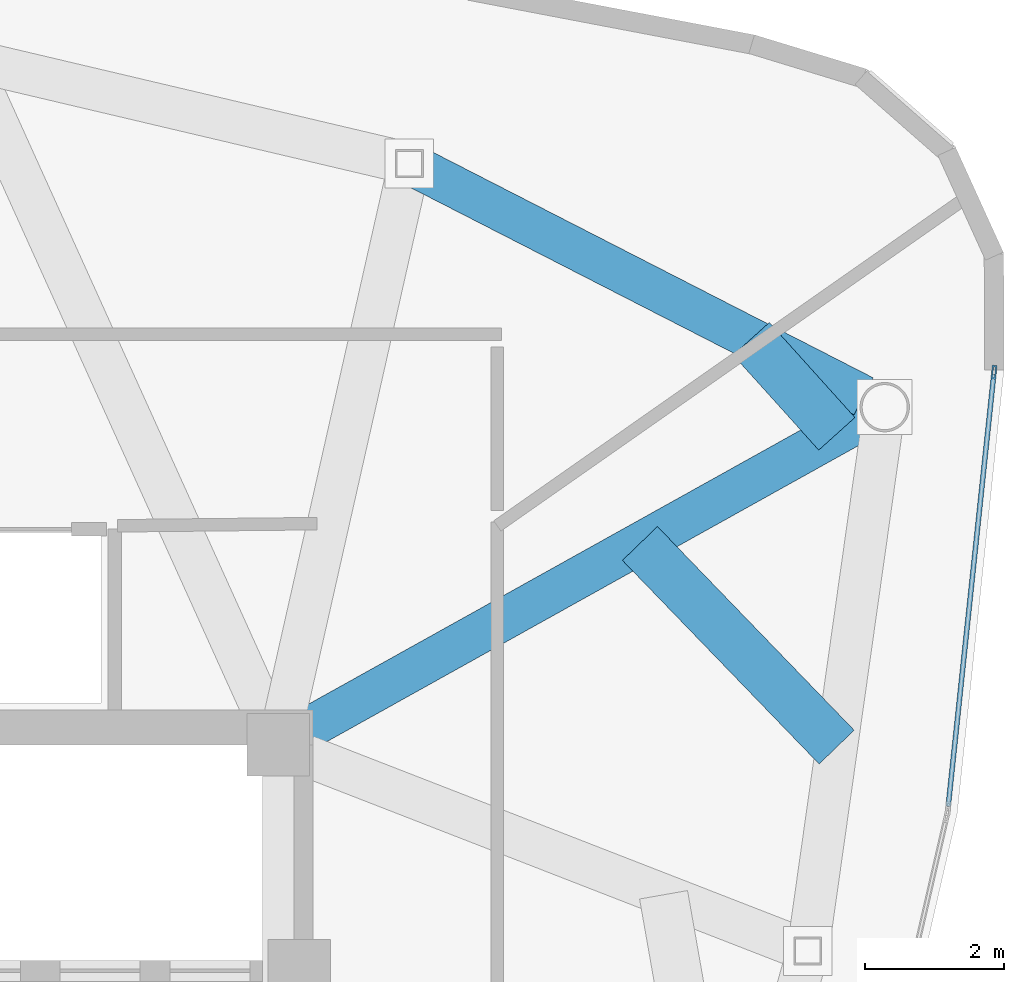
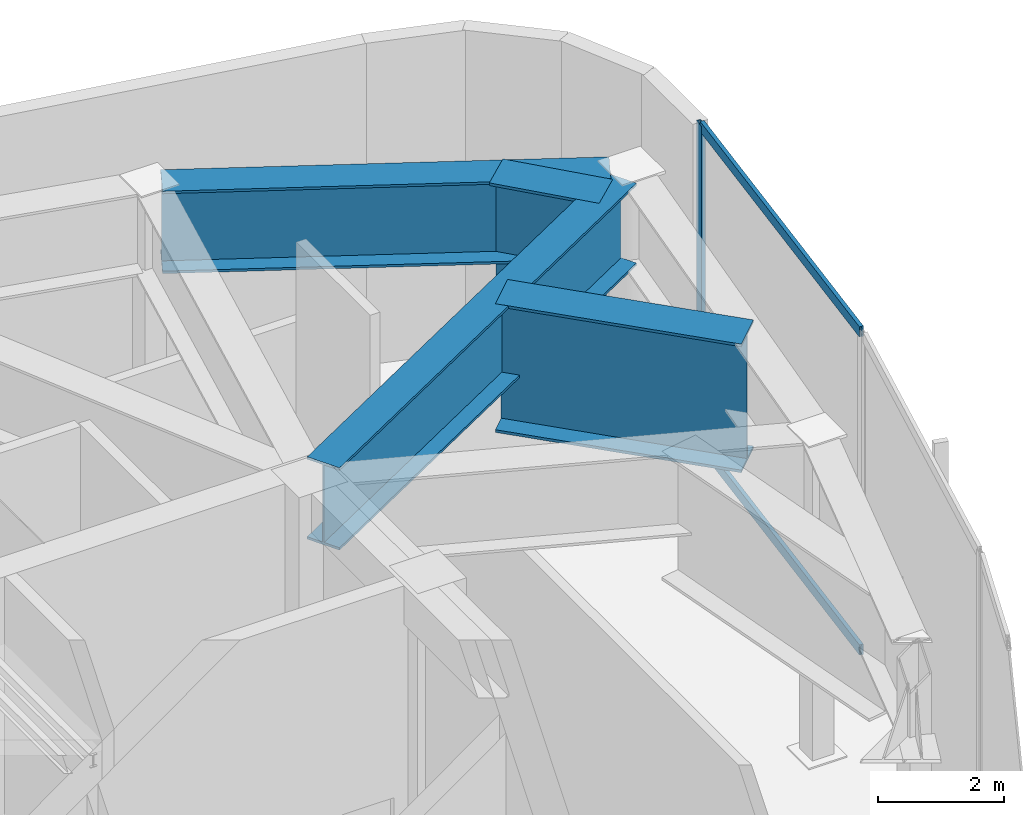
# One storey, part 6 of 13: 4 beams, 3 members, 1 element without a shape of its own.
"""IFC4 building model written with IfcOpenShell, lengths in metres."""

from ifc_helpers import new_model, si_unit, direction, frame, origin, origin_2d, place, context, subcontext, project, spatial, hollow_rectangle, i_section, extrude, source, transform, mapped, material, layer, layer_set, material_profile, profile_set, type_object, type_shapes, element, aggregate, save


model = new_model("IFC4")

# Units and contexts
model_context = context("Model", 3, precision=1e-05, world=origin(), true_north=direction((0.0, 1.0)))
body_context = subcontext(model_context, "Body", "Model", "MODEL_VIEW")
ifc_project = project(units=[si_unit("LENGTHUNIT", "METRE"), si_unit("AREAUNIT", "SQUARE_METRE"), si_unit("VOLUMEUNIT", "CUBIC_METRE"), si_unit("PLANEANGLEUNIT", "RADIAN"), si_unit("MASSUNIT", "GRAM", prefix="KILO")], contexts=[model_context])

# Site, building, storey
site_placement = place(None, origin())
site = spatial("IfcSite", under=ifc_project, at=site_placement, CompositionType="ELEMENT")
building_placement = place(site_placement, origin())
building = spatial("IfcBuilding", under=site, at=building_placement, Name="Tavelor Broadcast Tower", CompositionType="ELEMENT")
storey_placement = place(building_placement, frame((0.0, 0.0, 325.5)))
storey = spatial("IfcBuildingStorey", under=building, at=storey_placement, Name="L78", CompositionType="ELEMENT", Elevation=325.5)

# Beams
ifc_material_1 = material(Name="Steel S460", Category="steel")
ifc_material_profile_1 = material_profile(ifc_material_1, i_section(OverallWidth=0.60009765625, OverallDepth=1.60009765625, WebThickness=0.028076171875, FlangeThickness=0.048095703125, at=origin_2d()), Name="PG 1600x600")
ifc_profile_set_1 = profile_set([ifc_material_profile_1], Name="Steel S460")
beam_type_1 = type_object("IfcBeamType", Name="Crown and Spire Transfer Girder PG1600", PredefinedType="BEAM", material=ifc_profile_set_1)
beam_1_placement = place(storey_placement, frame((65.015869140625, 56.211181640625, 5.449951171875), z_axis=(-0.889983170291, 0.455993373415, 0.0), x_axis=(-0.455993373415, -0.889983170291, 0.0)))
element("IfcBeam", 1, at=beam_1_placement, inside=storey, type_object=beam_type_1, Name="L78 Framed-Tube Ring Spandrel 13", PredefinedType="BEAM", context=body_context, shape_type="SweptSolid", body=[
    extrude(i_section(OverallWidth=0.60009765625, OverallDepth=1.60009765625, WebThickness=0.028076171875, FlangeThickness=0.048095703125, at=origin_2d()), origin(), (0.0, 0.0, 1.0), 7.1455078125),
])
beam_2_placement = place(storey_placement, frame((56.977294921875, 51.41015625, 5.449951171875), z_axis=(0.87366652502, 0.486525233734, 0.0), x_axis=(-0.486525233734, 0.87366652502, 0.0)))
element("IfcBeam", 2, at=beam_2_placement, inside=storey, type_object=beam_type_1, Name="L78 Radial Primary Floor Girder 13", PredefinedType="BEAM", context=body_context, shape_type="SweptSolid", body=[
    extrude(i_section(OverallWidth=0.60009765625, OverallDepth=1.60009765625, WebThickness=0.028076171875, FlangeThickness=0.048095703125, at=origin_2d()), origin(), (0.0, 0.0, 1.0), 9.20703125),
])
ifc_material_profile_2 = material_profile(ifc_material_1, i_section(OverallWidth=0.699951171875, OverallDepth=2.5, WebThickness=0.031982421875, FlangeThickness=0.052001953125, at=origin_2d()), Name="PG 2500x700")
ifc_profile_set_2 = profile_set([ifc_material_profile_2], Name="Steel S460")
beam_type_2 = type_object("IfcBeamType", Name="Opposite Slide Transfer Girder HEB900", PredefinedType="BEAM", material=ifc_profile_set_2)
beam_3_placement = place(storey_placement, frame((64.628662109375, 51.16748046875, 5.0), z_axis=(-0.694675845085, 0.719322924878, 0.0), x_axis=(-0.719322924878, -0.694675845085, 0.0)))
element("IfcBeam", 3, at=beam_3_placement, inside=storey, type_object=beam_type_2, Name="L78 Transfer Header Girder 05", PredefinedType="BEAM", context=body_context, shape_type="SweptSolid", body=[
    extrude(i_section(OverallWidth=0.699951171875, OverallDepth=2.5, WebThickness=0.031982421875, FlangeThickness=0.052001953125, at=origin_2d()), origin(), (0.0, 0.0, 1.0), 4.071044921875),
])
beam_4_placement = place(storey_placement, frame((64.631103515625, 55.67236328125, 5.0), z_axis=(-0.669155465258, 0.743122441671, 0.0), x_axis=(-0.743122441671, -0.669155465258, 0.0)))
element("IfcBeam", 4, at=beam_4_placement, inside=storey, type_object=beam_type_2, Name="L78 Transfer Header Girder 06", PredefinedType="BEAM", context=body_context, shape_type="SweptSolid", body=[
    extrude(i_section(OverallWidth=0.699951171875, OverallDepth=2.5, WebThickness=0.031982421875, FlangeThickness=0.052001953125, at=origin_2d()), origin(), (0.0, 0.0, 1.0), 1.83837890625),
])

# Curtain wall, members
ifc_material_2 = material(Name="Architectural Anodized Aluminium", Category="aluminium")
ifc_layer = layer(ifc_material_2, 0.199951171875)
ifc_layer_set = layer_set([ifc_layer], Name="Architectural Anodized Aluminium")
curtain_wall_type = type_object("IfcCurtainWallType", Name="Tower High-Zone Triple-Glazed Curtain Wall CW04", PredefinedType="NOTDEFINED", material=ifc_layer_set)
curtain_wall_placement = place(storey_placement, origin())
curtain_wall = element("IfcCurtainWall", 5, at=curtain_wall_placement, inside=storey, type_object=curtain_wall_type, Name="L78 Curtain Wall CW04 Run 872", PredefinedType="NOTDEFINED")
ifc_material_profile_3 = material_profile(ifc_material_2, hollow_rectangle(XDim=0.070068359375, YDim=0.199951171875, WallThickness=0.02197265625, at=origin_2d()), Name="RHS 70x200x22")
ifc_profile_set_3 = profile_set([ifc_material_profile_3], Name="Architectural Anodized Aluminium")
member_type_1 = type_object("IfcMemberType", Name="CW04 Extruded Aluminium Mullion 70x200", PredefinedType="MULLION", material=ifc_profile_set_3)
shared_shape_1 = source(origin(), body_context, "Body", "SweptSolid", [
    extrude(hollow_rectangle(XDim=0.070068359375, YDim=0.199951171875, WallThickness=0.02197265625, at=origin_2d()), origin(), (0.0, 0.0, 1.0), 6.25),
])
type_shapes(member_type_1, [shared_shape_1])
member_1_placement = place(storey_placement, frame((66.890869140625, 56.557373046875, 0.0), z_axis=(0.0, 0.0, 1.0), x_axis=(-0.994478027793, 0.104944996248, 0.0)))
member_1 = element("IfcMember", 6, at=member_1_placement, type_object=member_type_1, Name="CW04 mullion 2", PredefinedType="MULLION", context=body_context, shape_type="MappedRepresentation", body=[
    mapped(shared_shape_1, transform((0.0, 0.0, 0.0), scale=1.0)),
])
ifc_material_profile_4 = material_profile(ifc_material_2, hollow_rectangle(XDim=0.070068359375, YDim=0.199951171875, WallThickness=0.02197265625, at=origin_2d()), Name="RHS 70x200x22")
ifc_profile_set_4 = profile_set([ifc_material_profile_4], Name="Architectural Anodized Aluminium")
member_type_2 = type_object("IfcMemberType", Name="CW04 Extruded Aluminium Transom 70x200", PredefinedType="USERDEFINED", material=ifc_profile_set_4)
shared_shape_2 = source(origin(), body_context, "Body", "SweptSolid", [
    extrude(hollow_rectangle(XDim=0.070068359375, YDim=0.199951171875, WallThickness=0.02197265625, at=origin_2d()), origin(), (0.0, 0.0, 1.0), 6.241455078125),
])
type_shapes(member_type_2, [shared_shape_2])
member_2_placement = place(storey_placement, frame((66.232177734375, 50.315673828125, 0.034912109375), z_axis=(0.104947445528, 0.994477769323, 0.0), x_axis=(-0.994477769323, 0.104947445528, 0.0)))
member_2 = element("IfcMember", 7, at=member_2_placement, type_object=member_type_2, Name="CW04 transom 1.1", ObjectType="TRANSOM", PredefinedType="USERDEFINED", context=body_context, shape_type="MappedRepresentation", body=[
    mapped(shared_shape_2, transform((0.0, 0.0, 0.0), scale=1.0)),
])
member_3_placement = place(storey_placement, frame((66.232177734375, 50.315673828125, 6.215087890625), z_axis=(0.104947445528, 0.994477769323, 0.0), x_axis=(-0.994477769323, 0.104947445528, 0.0)))
member_3 = element("IfcMember", 8, at=member_3_placement, type_object=member_type_2, Name="CW04 transom 1.2", ObjectType="TRANSOM", PredefinedType="USERDEFINED", context=body_context, shape_type="MappedRepresentation", body=[
    mapped(shared_shape_2, transform((0.0, 0.0, 0.0), scale=1.0)),
])
aggregate(curtain_wall, [member_1, member_2, member_3])

save(model, "model.ifc")
